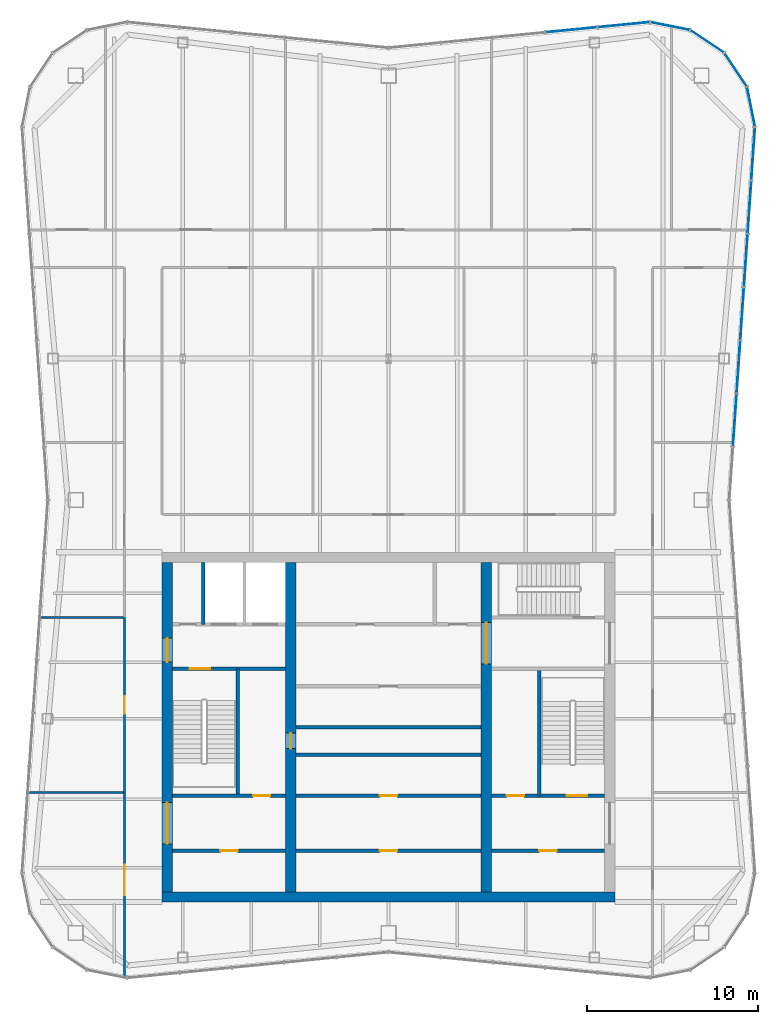
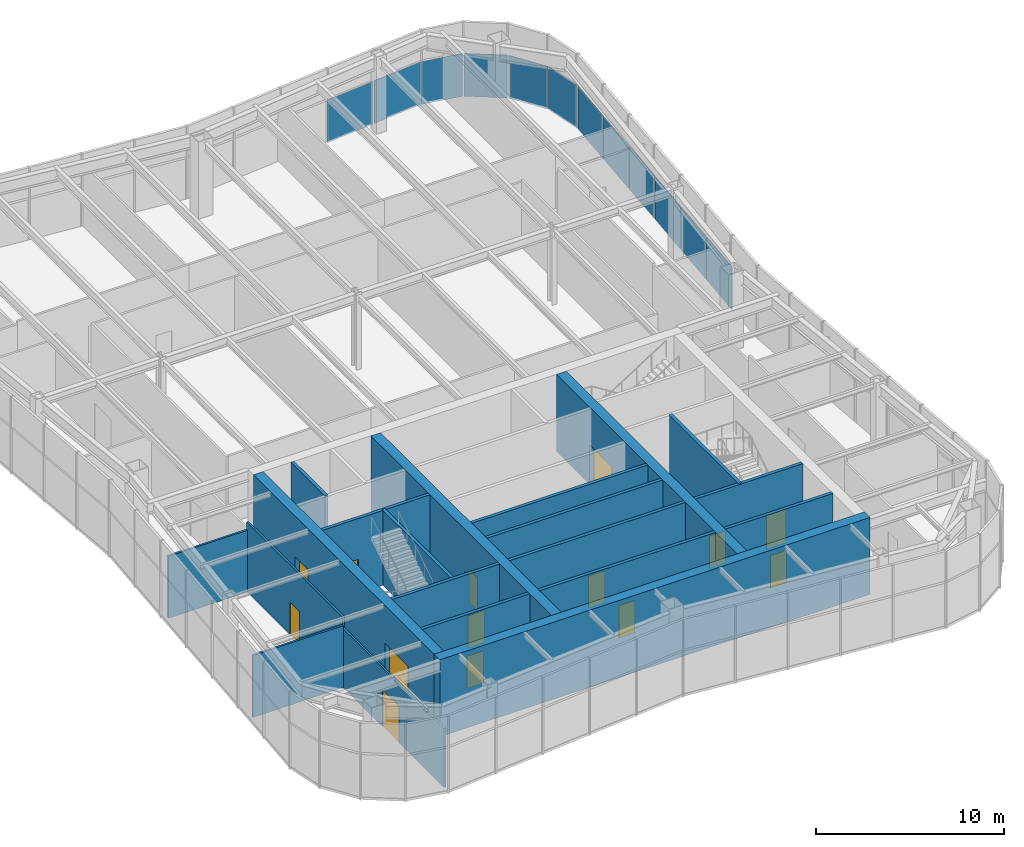
# One storey, part 9 of 13: 20 walls, 14 doors, 12 plates, 14 openings, 3 elements without a shape of their own.
"""IFC4 building model written with IfcOpenShell, lengths in metres."""

import ifcopenshell
import ifcopenshell.guid

model = None  # the IFC model being written
_history = None  # IfcOwnerHistory: only IFC2X3 demands one
_inside = {}  # id of a spatial element -> (the spatial element, [elements in it])
_under = {}  # id of a project, library or spatial element -> (it, [spatial elements below it])
_declared = {}  # id of a project -> (the project, [libraries it declares])
_typed = {}  # id of a type object -> (the type object, [elements of that type])
_made_of = {}  # id of a material, layer set ... -> (it, [elements and type objects made of it])


def new_model(schema):
    """Start an empty IFC model of exactly this schema.

    Asked for "IFC4X3", IfcOpenShell would pick the latest addendum, in which some entities
    have other attributes; the version numbers below select the first issue.
    IFC2X3 requires an IfcOwnerHistory on every rooted entity: one is made here for all.
    """
    global model, _history
    if schema == "IFC4X3":
        model = ifcopenshell.file(schema_version=(4, 3, 0, 0))
    else:
        model = ifcopenshell.file(schema=schema)
    _inside.clear()
    _under.clear()
    _declared.clear()
    _typed.clear()
    _made_of.clear()
    _history = None
    if model.schema == "IFC2X3":
        org = make("IfcOrganization", Name="unknown")
        user = make(
            "IfcPersonAndOrganization",
            ThePerson=make("IfcPerson", FamilyName="unknown"),
            TheOrganization=org,
        )
        app = make(
            "IfcApplication",
            ApplicationDeveloper=org,
            Version="unknown",
            ApplicationFullName="unknown",
            ApplicationIdentifier="unknown",
        )
        _history = make(
            "IfcOwnerHistory",
            OwningUser=user,
            OwningApplication=app,
            ChangeAction="ADDED",
            CreationDate=0,
        )
    return model


def make(cls, **values):
    """One entity of the class cls with the attributes given. An attribute that is None is left unset."""
    return model.create_entity(
        cls, **{name: value for name, value in values.items() if value is not None}
    )


def rooted(cls, **values):
    """An entity with a GlobalId (a new one), such as an element, a storey or a relation."""
    return make(cls, GlobalId=ifcopenshell.guid.new(), OwnerHistory=_history, **values)


def si_unit(unit_type, name, prefix=None):
    """IfcSIUnit, for example si_unit("LENGTHUNIT", "METRE", prefix="MILLI")."""
    return make("IfcSIUnit", UnitType=unit_type, Prefix=prefix, Name=name)


def assignment(units):
    """IfcUnitAssignment: the units of a project."""
    return None if units is None else make("IfcUnitAssignment", Units=units)


def point(xyz):
    """IfcCartesianPoint."""
    return None if xyz is None else make("IfcCartesianPoint", Coordinates=xyz)


def direction(xyz):
    """IfcDirection."""
    return None if xyz is None else make("IfcDirection", DirectionRatios=xyz)


def frame(location, z_axis=None, x_axis=None):
    """IfcAxis2Placement3D, a coordinate frame: its origin and axes. An axis left out is left unset."""
    return make(
        "IfcAxis2Placement3D",
        Location=point(location),
        Axis=direction(z_axis),
        RefDirection=direction(x_axis),
    )


def frame_2d(location, x_axis=None):
    """IfcAxis2Placement2D, a coordinate frame in the plane: its origin and x axis."""
    return make(
        "IfcAxis2Placement2D", Location=point(location), RefDirection=direction(x_axis)
    )


def origin():
    """The frame at (0, 0, 0) with its axes left unset."""
    return frame((0.0, 0.0, 0.0))


def origin_2d():
    """The frame at (0, 0) in the plane with its x axis left unset."""
    return frame_2d((0.0, 0.0))


def place(relative_to, where):
    """IfcLocalPlacement: puts the frame where relative to a parent placement (None: the world)."""
    return make(
        "IfcLocalPlacement", PlacementRelTo=relative_to, RelativePlacement=where
    )


def context(
    kind, dimensions, precision=None, world=None, true_north=None, identifier=None
):
    """IfcGeometricRepresentationContext, for example the 3D "Model" context."""
    return make(
        "IfcGeometricRepresentationContext",
        ContextIdentifier=identifier,
        ContextType=kind,
        CoordinateSpaceDimension=dimensions,
        Precision=precision,
        WorldCoordinateSystem=world,
        TrueNorth=true_north,
    )


def subcontext(parent, identifier, kind, view, scale=None):
    """IfcGeometricRepresentationSubContext, for example "Body" below "Model"."""
    return make(
        "IfcGeometricRepresentationSubContext",
        ContextIdentifier=identifier,
        ContextType=kind,
        ParentContext=parent,
        TargetScale=scale,
        TargetView=view,
    )


def project(units=None, contexts=None):
    """IfcProject with its units and contexts."""
    return rooted(
        "IfcProject",
        Name="project",
        RepresentationContexts=contexts,
        UnitsInContext=assignment(units),
    )


def spatial(cls, under=None, at=None, **own):
    """A site, building, storey or space (cls), placed at a placement, below another one or the project."""
    s = rooted(cls, ObjectPlacement=at, **own)
    if under is not None:
        _under.setdefault(under.id(), (under, []))[1].append(s)
    return s


def profile(cls, at=None, kind="AREA", **sizes):
    """A parametric profile (cls). Its sizes go by their IFC names, for example OverallWidth=200.0."""
    return make(cls, ProfileType=kind, Position=at, **sizes)


def rectangle(**sizes):
    """IfcRectangleProfileDef."""
    return profile("IfcRectangleProfileDef", **sizes)


def extrude(swept, where, along, depth):
    """IfcExtrudedAreaSolid: the profile swept, set in the frame where, extruded along a direction by depth."""
    return make(
        "IfcExtrudedAreaSolid",
        SweptArea=swept,
        Position=where,
        ExtrudedDirection=direction(along),
        Depth=depth,
    )


def shape(context_of_items, identifier, shape_type, items):
    """IfcShapeRepresentation: the items that make up one representation, for example the "Body"."""
    return make(
        "IfcShapeRepresentation",
        ContextOfItems=context_of_items,
        RepresentationIdentifier=identifier,
        RepresentationType=shape_type,
        Items=items,
    )


def material(Name=None, Category=None):
    """IfcMaterial."""
    return make("IfcMaterial", Name=Name, Category=Category)


def layer(
    of_material, thickness, ventilated=None, Name=None, Category=None, Priority=None
):
    """IfcMaterialLayer: one layer of a wall or slab, of a material (None: an air gap)."""
    return make(
        "IfcMaterialLayer",
        Material=of_material,
        LayerThickness=thickness,
        IsVentilated=ventilated,
        Name=Name,
        Category=Category,
        Priority=Priority,
    )


def layer_set(layers, Name=None):
    """IfcMaterialLayerSet."""
    return make("IfcMaterialLayerSet", MaterialLayers=layers, LayerSetName=Name)


def made_of(thing, what):
    """Note that an element or type object is made of a material, layer set ...; save() writes the relation."""
    if what is not None:
        _made_of.setdefault(what.id(), (what, []))[1].append(thing)
    return thing


def type_object(cls, material=None, **own):
    """A type object (cls), such as IfcWallType, which elements share."""
    return made_of(rooted(cls, **own), material)


def element(
    cls,
    number,
    at=None,
    inside=None,
    cuts=None,
    type_object=None,
    material=None,
    context=None,
    identifier="Body",
    shape_type=None,
    held_by="IfcProductDefinitionShape",
    body=None,
    shapes=None,
    **own,
):
    """One element of the class cls, such as IfcWall. Its Tag is "e" and its number.

    at: its placement. inside: the storey or other place that contains it. cuts: it is an
    opening in that element (IfcRelVoidsElement). A single representation is given by context,
    identifier, shape_type and body (its items); several are given by shapes. held_by: the class
    of the entity that holds the representations. save() writes the other relations.
    """
    e = rooted(cls, Tag="e%d" % number, ObjectPlacement=at, **own)
    if body is not None:
        shapes = [shape(context, identifier, shape_type, body)]
    if shapes is not None:
        e.Representation = make(held_by, Representations=shapes)
    if inside is not None:
        _inside.setdefault(inside.id(), (inside, []))[1].append(e)
    if cuts is not None:
        rooted(
            "IfcRelVoidsElement", RelatingBuildingElement=cuts, RelatedOpeningElement=e
        )
    if type_object is not None:
        _typed.setdefault(type_object.id(), (type_object, []))[1].append(e)
    return made_of(e, material)


def fill(opening, filler):
    """IfcRelFillsElement: the door or window that sits in an opening."""
    return rooted(
        "IfcRelFillsElement",
        RelatingOpeningElement=opening,
        RelatedBuildingElement=filler,
    )


def aggregate(whole, parts):
    """IfcRelAggregates: a whole, such as a stair, and the parts it consists of."""
    return rooted("IfcRelAggregates", RelatingObject=whole, RelatedObjects=parts)


def save(model, path):
    """Write the relations noted so far, then the file.

    IfcRelAggregates (storeys below a building ...), IfcRelContainedInSpatialStructure (elements
    in a storey), IfcRelDefinesByType, IfcRelAssociatesMaterial and IfcRelDeclares: one each for
    every whole, place, type object, material and project.
    """
    for whole, parts in _under.values():
        aggregate(whole, parts)
    for where, things in _inside.values():
        rooted(
            "IfcRelContainedInSpatialStructure",
            RelatedElements=things,
            RelatingStructure=where,
        )
    for kind, things in _typed.values():
        rooted("IfcRelDefinesByType", RelatedObjects=things, RelatingType=kind)
    for what, things in _made_of.values():
        rooted("IfcRelAssociatesMaterial", RelatedObjects=things, RelatingMaterial=what)
    for by, libraries in _declared.values():
        rooted("IfcRelDeclares", RelatingContext=by, RelatedDefinitions=libraries)
    model.write(path)


model = new_model("IFC4")

# Units and contexts
model_context = context("Model", 3, precision=1e-05, world=origin(), true_north=direction((0.0, 1.0)))
body_context = subcontext(model_context, "Body", "Model", "MODEL_VIEW")
ifc_project = project(units=[si_unit("LENGTHUNIT", "METRE"), si_unit("AREAUNIT", "SQUARE_METRE"), si_unit("VOLUMEUNIT", "CUBIC_METRE"), si_unit("PLANEANGLEUNIT", "RADIAN"), si_unit("MASSUNIT", "GRAM", prefix="KILO")], contexts=[model_context])

# Site, building, storey
site_placement = place(None, origin())
site = spatial("IfcSite", under=ifc_project, at=site_placement, CompositionType="ELEMENT")
building_placement = place(site_placement, origin())
building = spatial("IfcBuilding", under=site, at=building_placement, Name="Verdant Reach Tower", CompositionType="ELEMENT")
storey_placement = place(building_placement, frame((0.0, 0.0, 354.5)))
storey = spatial("IfcBuildingStorey", under=building, at=storey_placement, Name="L80 Plant", CompositionType="ELEMENT", Elevation=354.5)

# Curtain wall, plates
ifc_material_1 = material(Name="Anodised aluminium", Category="aluminium")
curtain_wall_type = type_object("IfcCurtainWallType", Name="EN-CW SYSTEM PLANT", PredefinedType="NOTDEFINED", material=ifc_material_1)
curtain_wall_1_placement = place(storey_placement, origin())
curtain_wall_1 = element("IfcCurtainWall", 1, at=curtain_wall_1_placement, inside=storey, type_object=curtain_wall_type, Name="Curtain wall east, L80", PredefinedType="NOTDEFINED")
ifc_material_2 = material(Name="Bronze anodised aluminium solid panel", Category="aluminium")
ifc_layer_1 = layer(ifc_material_2, 0.0400390625)
ifc_layer_set_1 = layer_set([ifc_layer_1], Name="EN-PANEL SOLID")
plate_type = type_object("IfcPlateType", Name="EN-PANEL SOLID", PredefinedType="CURTAIN_PANEL", material=ifc_layer_set_1)
plate_1_placement = place(storey_placement, frame((20.190185546875, 45.902587890625, -0.199951171875), z_axis=(0.0, 0.0, 1.0), x_axis=(0.068802091615, 0.997630328423, 0.0)))
plate_1 = element("IfcPlate", 2, at=plate_1_placement, type_object=plate_type, Name="Solid panel east face part 2 2.1, L80", PredefinedType="CURTAIN_PANEL", context=body_context, shape_type="SweptSolid", body=[
    extrude(rectangle(XDim=3.03857421875, YDim=0.0400390625, at=origin_2d()), origin(), (0.0, 0.0, 1.0), 2.77490234375),
])
plate_2_placement = place(storey_placement, frame((20.404541015625, 49.009765625, -0.199951171875), z_axis=(0.0, 0.0, 1.0), x_axis=(0.068802091615, 0.997630328423, 0.0)))
plate_2 = element("IfcPlate", 3, at=plate_2_placement, type_object=plate_type, Name="Solid panel east face part 2 3.1, L80", PredefinedType="CURTAIN_PANEL", context=body_context, shape_type="SweptSolid", body=[
    extrude(rectangle(XDim=3.03857421875, YDim=0.0400390625, at=origin_2d()), origin(), (0.0, 0.0, 1.0), 2.77490234375),
])
plate_3_placement = place(storey_placement, frame((20.61865234375, 52.11669921875, -0.199951171875), z_axis=(0.0, 0.0, 1.0), x_axis=(0.068802091615, 0.997630328423, 0.0)))
plate_3 = element("IfcPlate", 4, at=plate_3_placement, type_object=plate_type, Name="Solid panel east face part 2 4.1, L80", PredefinedType="CURTAIN_PANEL", context=body_context, shape_type="SweptSolid", body=[
    extrude(rectangle(XDim=3.03857421875, YDim=0.0400390625, at=origin_2d()), origin(), (0.0, 0.0, 1.0), 2.77490234375),
])
plate_4_placement = place(storey_placement, frame((20.8330078125, 55.223876953125, -0.199951171875), z_axis=(0.0, 0.0, 1.0), x_axis=(0.068802091615, 0.997630328423, 0.0)))
plate_4 = element("IfcPlate", 5, at=plate_4_placement, type_object=plate_type, Name="Solid panel east face part 2 5.1, L80", PredefinedType="CURTAIN_PANEL", context=body_context, shape_type="SweptSolid", body=[
    extrude(rectangle(XDim=3.03857421875, YDim=0.0400390625, at=origin_2d()), origin(), (0.0, 0.0, 1.0), 2.77490234375),
])
plate_5_placement = place(storey_placement, frame((21.04736328125, 58.3310546875, -0.199951171875), z_axis=(0.0, 0.0, 1.0), x_axis=(0.068802091615, 0.997630328423, 0.0)))
plate_5 = element("IfcPlate", 6, at=plate_5_placement, type_object=plate_type, Name="Solid panel east face part 2 6.1, L80", PredefinedType="CURTAIN_PANEL", context=body_context, shape_type="SweptSolid", body=[
    extrude(rectangle(XDim=3.03857421875, YDim=0.0400390625, at=origin_2d()), origin(), (0.0, 0.0, 1.0), 2.77490234375),
])
plate_6_placement = place(storey_placement, frame((21.261474609375, 61.446044921875, -0.199951171875), z_axis=(0.0, 0.0, 1.0), x_axis=(0.068469163133, 0.997653233193, 0.0)))
plate_6 = element("IfcPlate", 7, at=plate_6_placement, type_object=plate_type, Name="Solid panel east face part 2 7.1, L80", PredefinedType="CURTAIN_PANEL", context=body_context, shape_type="SweptSolid", body=[
    extrude(rectangle(XDim=3.05419921875, YDim=0.0400390625, at=origin_2d()), origin(), (0.0, 0.0, 1.0), 2.77490234375),
])
aggregate(curtain_wall_1, [plate_1, plate_2, plate_3, plate_4, plate_5, plate_6])

curtain_wall_2_placement = place(storey_placement, origin())
curtain_wall_2 = element("IfcCurtainWall", 8, at=curtain_wall_2_placement, inside=storey, type_object=curtain_wall_type, Name="Curtain wall north-east corner, L80", PredefinedType="NOTDEFINED")
plate_7_placement = place(storey_placement, frame((21.135986328125, 64.174560546875, -0.199951171875), z_axis=(0.0, 0.0, 1.0), x_axis=(-0.195592962334, 0.980685165119, 0.0)))
plate_7 = element("IfcPlate", 9, at=plate_7_placement, type_object=plate_type, Name="Solid panel north-east corner 1.1, L80", PredefinedType="CURTAIN_PANEL", context=body_context, shape_type="SweptSolid", body=[
    extrude(rectangle(XDim=2.303955078125, YDim=0.0400390625, at=origin_2d()), origin(), (0.0, 0.0, 1.0), 2.77490234375),
])
plate_8_placement = place(storey_placement, frame((20.239990234375, 66.334228515625, -0.199951171875), z_axis=(0.0, 0.0, 1.0), x_axis=(-0.555596466265, 0.83145208321, 0.0)))
plate_8 = element("IfcPlate", 10, at=plate_8_placement, type_object=plate_type, Name="Solid panel north-east corner 2.1, L80", PredefinedType="CURTAIN_PANEL", context=body_context, shape_type="SweptSolid", body=[
    extrude(rectangle(XDim=2.3115234375, YDim=0.0400390625, at=origin_2d()), origin(), (0.0, 0.0, 1.0), 2.77490234375),
])
plate_9_placement = place(storey_placement, frame((18.584228515625, 67.989990234375, -0.199951171875), z_axis=(0.0, 0.0, 1.0), x_axis=(-0.83145208321, 0.555596466265, 0.0)))
plate_9 = element("IfcPlate", 11, at=plate_9_placement, type_object=plate_type, Name="Solid panel north-east corner 3.1, L80", PredefinedType="CURTAIN_PANEL", context=body_context, shape_type="SweptSolid", body=[
    extrude(rectangle(XDim=2.3115234375, YDim=0.0400390625, at=origin_2d()), origin(), (0.0, 0.0, 1.0), 2.77490234375),
])
plate_10_placement = place(storey_placement, frame((16.423828125, 68.885986328125, -0.199951171875), z_axis=(0.0, 0.0, 1.0), x_axis=(-0.980705120874, 0.195492879387, 0.0)))
plate_10 = element("IfcPlate", 12, at=plate_10_placement, type_object=plate_type, Name="Solid panel north-east corner 4.1, L80", PredefinedType="CURTAIN_PANEL", context=body_context, shape_type="SweptSolid", body=[
    extrude(rectangle(XDim=2.3056640625, YDim=0.0400390625, at=origin_2d()), origin(), (0.0, 0.0, 1.0), 2.77490234375),
])
aggregate(curtain_wall_2, [plate_7, plate_8, plate_9, plate_10])

curtain_wall_3_placement = place(storey_placement, origin())
curtain_wall_3 = element("IfcCurtainWall", 13, at=curtain_wall_3_placement, inside=storey, type_object=curtain_wall_type, Name="Curtain wall north, L80", PredefinedType="NOTDEFINED")
plate_11_placement = place(storey_placement, frame((13.72216796875, 68.96875, -0.199951171875), z_axis=(0.0, 0.0, 1.0), x_axis=(-0.995238191716, -0.097472774402, 0.0)))
plate_11 = element("IfcPlate", 14, at=plate_11_placement, type_object=plate_type, Name="Solid panel north face part 1 1.1, L80", PredefinedType="CURTAIN_PANEL", context=body_context, shape_type="SweptSolid", body=[
    extrude(rectangle(XDim=3.006103515625, YDim=0.0400390625, at=origin_2d()), origin(), (0.0, 0.0, 1.0), 2.77490234375),
])
plate_12_placement = place(storey_placement, frame((10.663330078125, 68.66845703125, -0.199951171875), z_axis=(0.0, 0.0, 1.0), x_axis=(-0.995197410875, -0.09788826992, 0.0)))
plate_12 = element("IfcPlate", 15, at=plate_12_placement, type_object=plate_type, Name="Solid panel north face part 1 2.1, L80", PredefinedType="CURTAIN_PANEL", context=body_context, shape_type="SweptSolid", body=[
    extrude(rectangle(XDim=2.98876953125, YDim=0.0400390625, at=origin_2d()), origin(), (0.0, 0.0, 1.0), 2.77490234375),
])
aggregate(curtain_wall_3, [plate_11, plate_12])

# Wall, opening, door
ifc_material_3 = material(Name="Gypsum board on steel studs", Category="steel")
ifc_layer_2 = layer(ifc_material_3, 0.199951171875)
ifc_layer_set_2 = layer_set([ifc_layer_2], Name="CO-WALL-ROOM")
wall_type_1 = type_object("IfcWallType", Name="CO-WALL-ROOM", PredefinedType="PARTITIONING", material=ifc_layer_set_2)
wall_1_placement = place(storey_placement, frame((-12.60009765625, 20.800048828125, 0.0), z_axis=(0.0, 0.0, 1.0), x_axis=(1.0, 0.0, 0.0)))
wall_1 = element("IfcWall", 16, at=wall_1_placement, inside=storey, type_object=wall_type_1, Name="Core partition, L80 Plant", PredefinedType="PARTITIONING", context=body_context, shape_type="SweptSolid", body=[
    extrude(rectangle(XDim=6.60009765625, YDim=0.199951171875, at=frame_2d((3.300048828125, 0.0))), origin(), (0.0, 0.0, 1.0), 4.85009765625),
])
opening_1_placement = place(wall_1_placement, frame((2.800048828125, 0.0, 0.0)))
opening_1 = element("IfcOpeningElement", 17, at=opening_1_placement, cuts=wall_1, Name="Opening CD", PredefinedType="OPENING", context=body_context, shape_type="SweptSolid", body=[
    extrude(rectangle(XDim=1.0, YDim=2.10009765625, at=frame_2d((0.5, 1.050048828125))), frame((0.0, 0.10986328125, 0.0), z_axis=(0.0, -1.0, 0.0), x_axis=(1.0, 0.0, 0.0)), (0.0, 0.0, 1.0), 0.219970703125),
])
ifc_material_4 = material(Name="Timber", Category="wood")
door_type_1 = type_object("IfcDoorType", Name="CO-DOOR-ROOM", OperationType="NOTDEFINED", PredefinedType="DOOR", material=ifc_material_4)
door_1_placement = place(opening_1_placement, origin())
door_1 = element("IfcDoor", 18, at=door_1_placement, inside=storey, type_object=door_type_1, Name="Core room door, L80 Plant", OperationType="SINGLE_SWING_RIGHT", OverallHeight=2.10009765625, OverallWidth=1.0, PredefinedType="DOOR", context=body_context, shape_type="SweptSolid", body=[
    extrude(rectangle(XDim=1.0, YDim=2.10009765625, at=frame_2d((0.5, 1.050048828125))), frame((0.0, 0.02490234375, 0.0), z_axis=(0.0, -1.0, 0.0), x_axis=(1.0, 0.0, 0.0)), (0.0, 0.0, 1.0), 0.050048828125),
])
fill(opening_1, door_1)

wall_2_placement = place(storey_placement, frame((-5.39990234375, 20.800048828125, 0.0), z_axis=(0.0, 0.0, 1.0), x_axis=(1.0, 0.0, 0.0)))
wall_2 = element("IfcWall", 19, at=wall_2_placement, inside=storey, type_object=wall_type_1, Name="Core partition, L80 Plant", PredefinedType="PARTITIONING", context=body_context, shape_type="SweptSolid", body=[
    extrude(rectangle(XDim=10.7998046875, YDim=0.199951171875, at=frame_2d((5.39990234375, 0.0))), origin(), (0.0, 0.0, 1.0), 4.85009765625),
])
opening_2_placement = place(wall_2_placement, frame((4.89990234375, 0.0, 0.0)))
opening_2 = element("IfcOpeningElement", 20, at=opening_2_placement, cuts=wall_2, Name="Opening CD", PredefinedType="OPENING", context=body_context, shape_type="SweptSolid", body=[
    extrude(rectangle(XDim=1.0, YDim=2.10009765625, at=frame_2d((0.5, 1.050048828125))), frame((0.0, 0.10986328125, 0.0), z_axis=(0.0, -1.0, 0.0), x_axis=(1.0, 0.0, 0.0)), (0.0, 0.0, 1.0), 0.219970703125),
])
door_2_placement = place(opening_2_placement, origin())
door_2 = element("IfcDoor", 21, at=door_2_placement, inside=storey, type_object=door_type_1, Name="Core room door, L80 Plant", OperationType="SINGLE_SWING_LEFT", OverallHeight=2.10009765625, OverallWidth=1.0, PredefinedType="DOOR", context=body_context, shape_type="SweptSolid", body=[
    extrude(rectangle(XDim=1.0, YDim=2.10009765625, at=frame_2d((0.5, 1.050048828125))), frame((0.0, 0.02490234375, 0.0), z_axis=(0.0, -1.0, 0.0), x_axis=(1.0, 0.0, 0.0)), (0.0, 0.0, 1.0), 0.050048828125),
])
fill(opening_2, door_2)

wall_3_placement = place(storey_placement, frame((6.0, 20.800048828125, 0.0), z_axis=(0.0, 0.0, 1.0), x_axis=(1.0, 0.0, 0.0)))
wall_3 = element("IfcWall", 22, at=wall_3_placement, inside=storey, type_object=wall_type_1, Name="Core partition, L80 Plant", PredefinedType="PARTITIONING", context=body_context, shape_type="SweptSolid", body=[
    extrude(rectangle(XDim=6.60009765625, YDim=0.199951171875, at=frame_2d((3.300048828125, 0.0))), origin(), (0.0, 0.0, 1.0), 4.85009765625),
])
opening_3_placement = place(wall_3_placement, frame((2.800048828125, 0.0, 0.0)))
opening_3 = element("IfcOpeningElement", 23, at=opening_3_placement, cuts=wall_3, Name="Opening CD", PredefinedType="OPENING", context=body_context, shape_type="SweptSolid", body=[
    extrude(rectangle(XDim=1.0, YDim=2.10009765625, at=frame_2d((0.5, 1.050048828125))), frame((0.0, 0.10986328125, 0.0), z_axis=(0.0, -1.0, 0.0), x_axis=(1.0, 0.0, 0.0)), (0.0, 0.0, 1.0), 0.219970703125),
])
door_3_placement = place(opening_3_placement, origin())
door_3 = element("IfcDoor", 24, at=door_3_placement, inside=storey, type_object=door_type_1, Name="Core room door, L80 Plant", OperationType="SINGLE_SWING_LEFT", OverallHeight=2.10009765625, OverallWidth=1.0, PredefinedType="DOOR", context=body_context, shape_type="SweptSolid", body=[
    extrude(rectangle(XDim=1.0, YDim=2.10009765625, at=frame_2d((0.5, 1.050048828125))), frame((0.0, 0.02490234375, 0.0), z_axis=(0.0, -1.0, 0.0), x_axis=(1.0, 0.0, 0.0)), (0.0, 0.0, 1.0), 0.050048828125),
])
fill(opening_3, door_3)

wall_4_placement = place(storey_placement, frame((-5.39990234375, 24.0, 0.0), z_axis=(0.0, 0.0, 1.0), x_axis=(1.0, 0.0, 0.0)))
wall_4 = element("IfcWall", 25, at=wall_4_placement, inside=storey, type_object=wall_type_1, Name="Core partition, L80 Plant", PredefinedType="PARTITIONING", context=body_context, shape_type="SweptSolid", body=[
    extrude(rectangle(XDim=10.7998046875, YDim=0.199951171875, at=frame_2d((5.39990234375, 0.0))), origin(), (0.0, 0.0, 1.0), 4.85009765625),
])
opening_4_placement = place(wall_4_placement, frame((4.89990234375, 0.0, 0.0)))
opening_4 = element("IfcOpeningElement", 26, at=opening_4_placement, cuts=wall_4, Name="Opening CD", PredefinedType="OPENING", context=body_context, shape_type="SweptSolid", body=[
    extrude(rectangle(XDim=1.0, YDim=2.10009765625, at=frame_2d((0.5, 1.050048828125))), frame((0.0, 0.10986328125, 0.0), z_axis=(0.0, -1.0, 0.0), x_axis=(1.0, 0.0, 0.0)), (0.0, 0.0, 1.0), 0.219970703125),
])
door_4_placement = place(opening_4_placement, origin())
door_4 = element("IfcDoor", 27, at=door_4_placement, inside=storey, type_object=door_type_1, Name="Core room door, L80 Plant", OperationType="SINGLE_SWING_RIGHT", OverallHeight=2.10009765625, OverallWidth=1.0, PredefinedType="DOOR", context=body_context, shape_type="SweptSolid", body=[
    extrude(rectangle(XDim=1.0, YDim=2.10009765625, at=frame_2d((0.5, 1.050048828125))), frame((0.0, 0.02490234375, 0.0), z_axis=(0.0, -1.0, 0.0), x_axis=(1.0, 0.0, 0.0)), (0.0, 0.0, 1.0), 0.050048828125),
])
fill(opening_4, door_4)

# Walls
for number, where, z_axis, x_axis, name in (
    (28, (-5.39990234375, 26.39990234375, 0.0), (0.0, 0.0, 1.0), (1.0, 0.0, 0.0), "Core partition, L80 Plant"),
    (29, (-5.39990234375, 28.0, 0.0), (0.0, 0.0, 1.0), (1.0, 0.0, 0.0), "Core partition, L80 Plant"),
):
    element("IfcWall", number, at=place(storey_placement, frame(where, z_axis=z_axis, x_axis=x_axis)), inside=storey, type_object=wall_type_1, Name=name, PredefinedType="PARTITIONING", context=body_context, shape_type="SweptSolid", body=[
        extrude(rectangle(XDim=10.7998046875, YDim=0.199951171875, at=frame_2d((5.39990234375, 0.0))), origin(), (0.0, 0.0, 1.0), 4.85009765625),
    ])
ifc_material_5 = material(Name="Concrete C40/50", Category="concrete")
ifc_layer_3 = layer(ifc_material_5, 0.199951171875)
ifc_layer_set_3 = layer_set([ifc_layer_3], Name="CO-WALL-SHAFT")
wall_type_2 = type_object("IfcWallType", Name="CO-WALL-SHAFT", PredefinedType="PARTITIONING", material=ifc_layer_set_3)
wall_5_placement = place(storey_placement, frame((-10.800048828125, 34.0, 0.0), z_axis=(0.0, 0.0, 1.0), x_axis=(0.0, 1.0, 0.0)))
element("IfcWall", 30, at=wall_5_placement, inside=storey, type_object=wall_type_2, Name="Lift shaft wall, L80 Plant", PredefinedType="PARTITIONING", context=body_context, shape_type="SweptSolid", body=[
    extrude(rectangle(XDim=3.60009765625, YDim=0.199951171875, at=frame_2d((1.800048828125, 0.0))), origin(), (0.0, 0.0, 1.0), 4.85009765625),
])

# Wall, opening, door
ifc_layer_4 = layer(ifc_material_5, 0.199951171875)
ifc_layer_set_4 = layer_set([ifc_layer_4], Name="CO-WALL-STAIR")
wall_type_3 = type_object("IfcWallType", Name="CO-WALL-STAIR", PredefinedType="PARTITIONING", material=ifc_layer_set_4)
wall_6_placement = place(storey_placement, frame((-12.60009765625, 24.0, 0.0), z_axis=(0.0, 0.0, 1.0), x_axis=(1.0, 0.0, 0.0)))
wall_6 = element("IfcWall", 31, at=wall_6_placement, inside=storey, type_object=wall_type_3, Name="Stair enclosure wall, L80 Plant", PredefinedType="PARTITIONING", context=body_context, shape_type="SweptSolid", body=[
    extrude(rectangle(XDim=6.60009765625, YDim=0.199951171875, at=frame_2d((3.300048828125, 0.0))), origin(), (0.0, 0.0, 1.0), 4.85009765625),
])
opening_5_placement = place(wall_6_placement, frame((4.699951171875, 0.0, 0.0)))
opening_5 = element("IfcOpeningElement", 32, at=opening_5_placement, cuts=wall_6, Name="Opening CD", PredefinedType="OPENING", context=body_context, shape_type="SweptSolid", body=[
    extrude(rectangle(XDim=1.0, YDim=2.10009765625, at=frame_2d((0.5, 1.050048828125))), frame((0.0, 0.10986328125, 0.0), z_axis=(0.0, -1.0, 0.0), x_axis=(1.0, 0.0, 0.0)), (0.0, 0.0, 1.0), 0.219970703125),
])
door_5_placement = place(opening_5_placement, origin())
door_5 = element("IfcDoor", 33, at=door_5_placement, inside=storey, type_object=door_type_1, Name="Core room door, L80 Plant", OperationType="SINGLE_SWING_LEFT", OverallHeight=2.10009765625, OverallWidth=1.0, PredefinedType="DOOR", context=body_context, shape_type="SweptSolid", body=[
    extrude(rectangle(XDim=1.0, YDim=2.10009765625, at=frame_2d((0.5, 1.050048828125))), frame((0.0, 0.02490234375, 0.0), z_axis=(0.0, -1.0, 0.0), x_axis=(1.0, 0.0, 0.0)), (0.0, 0.0, 1.0), 0.050048828125),
])
fill(opening_5, door_5)

# Wall, openings, doors
wall_7_placement = place(storey_placement, frame((6.0, 24.0, 0.0), z_axis=(0.0, 0.0, 1.0), x_axis=(1.0, 0.0, 0.0)))
wall_7 = element("IfcWall", 34, at=wall_7_placement, inside=storey, type_object=wall_type_3, Name="Stair enclosure wall, L80 Plant", PredefinedType="PARTITIONING", context=body_context, shape_type="SweptSolid", body=[
    extrude(rectangle(XDim=6.60009765625, YDim=0.199951171875, at=frame_2d((3.300048828125, 0.0))), origin(), (0.0, 0.0, 1.0), 4.85009765625),
])
opening_6_placement = place(wall_7_placement, frame((0.89990234375, 0.0, 0.0)))
opening_6 = element("IfcOpeningElement", 35, at=opening_6_placement, cuts=wall_7, Name="Opening CD", PredefinedType="OPENING", context=body_context, shape_type="SweptSolid", body=[
    extrude(rectangle(XDim=1.0, YDim=2.10009765625, at=frame_2d((0.5, 1.050048828125))), frame((0.0, 0.10986328125, 0.0), z_axis=(0.0, -1.0, 0.0), x_axis=(1.0, 0.0, 0.0)), (0.0, 0.0, 1.0), 0.219970703125),
])
opening_7_placement = place(wall_7_placement, frame((4.39990234375, 0.0, 0.0)))
opening_7 = element("IfcOpeningElement", 36, at=opening_7_placement, cuts=wall_7, Name="Opening SD", PredefinedType="OPENING", context=body_context, shape_type="SweptSolid", body=[
    extrude(rectangle(XDim=1.199951171875, YDim=2.199951171875, at=frame_2d((0.60009765625, 1.10009765625))), frame((0.0, 0.10986328125, 0.0), z_axis=(0.0, -1.0, 0.0), x_axis=(1.0, 0.0, 0.0)), (0.0, 0.0, 1.0), 0.219970703125),
])
door_6_placement = place(opening_6_placement, origin())
door_6 = element("IfcDoor", 37, at=door_6_placement, inside=storey, type_object=door_type_1, Name="Core room door, L80 Plant", OperationType="SINGLE_SWING_RIGHT", OverallHeight=2.10009765625, OverallWidth=1.0, PredefinedType="DOOR", context=body_context, shape_type="SweptSolid", body=[
    extrude(rectangle(XDim=1.0, YDim=2.10009765625, at=frame_2d((0.5, 1.050048828125))), frame((0.0, 0.02490234375, 0.0), z_axis=(0.0, -1.0, 0.0), x_axis=(1.0, 0.0, 0.0)), (0.0, 0.0, 1.0), 0.050048828125),
])
fill(opening_6, door_6)
ifc_material_6 = material(Name="Steel", Category="steel")
door_type_2 = type_object("IfcDoorType", Name="CO-DOOR-STAIR", OperationType="NOTDEFINED", PredefinedType="DOOR", material=ifc_material_6)
door_7_placement = place(opening_7_placement, origin())
door_7 = element("IfcDoor", 38, at=door_7_placement, inside=storey, type_object=door_type_2, Name="Stair door, L80 Plant", OperationType="SINGLE_SWING_RIGHT", OverallHeight=2.199951171875, OverallWidth=1.199951171875, PredefinedType="DOOR", context=body_context, shape_type="SweptSolid", body=[
    extrude(rectangle(XDim=1.199951171875, YDim=2.199951171875, at=frame_2d((0.60009765625, 1.10009765625))), frame((0.0, 0.02490234375, 0.0), z_axis=(0.0, -1.0, 0.0), x_axis=(1.0, 0.0, 0.0)), (0.0, 0.0, 1.0), 0.050048828125),
])
fill(opening_7, door_7)

# Wall, opening, door
wall_8_placement = place(storey_placement, frame((-12.60009765625, 31.39990234375, 0.0), z_axis=(0.0, 0.0, 1.0), x_axis=(1.0, 0.0, 0.0)))
wall_8 = element("IfcWall", 39, at=wall_8_placement, inside=storey, type_object=wall_type_3, Name="Stair enclosure wall, L80 Plant", PredefinedType="PARTITIONING", context=body_context, shape_type="SweptSolid", body=[
    extrude(rectangle(XDim=6.60009765625, YDim=0.199951171875, at=frame_2d((3.300048828125, 0.0))), origin(), (0.0, 0.0, 1.0), 4.85009765625),
])
opening_8_placement = place(wall_8_placement, frame((1.0, 0.0, 0.0)))
opening_8 = element("IfcOpeningElement", 40, at=opening_8_placement, cuts=wall_8, Name="Opening SD", PredefinedType="OPENING", context=body_context, shape_type="SweptSolid", body=[
    extrude(rectangle(XDim=1.199951171875, YDim=2.199951171875, at=frame_2d((0.60009765625, 1.10009765625))), frame((0.0, 0.10986328125, 0.0), z_axis=(0.0, -1.0, 0.0), x_axis=(1.0, 0.0, 0.0)), (0.0, 0.0, 1.0), 0.219970703125),
])
door_8_placement = place(opening_8_placement, origin())
door_8 = element("IfcDoor", 41, at=door_8_placement, inside=storey, type_object=door_type_2, Name="Stair door, L80 Plant", OperationType="SINGLE_SWING_LEFT", OverallHeight=2.199951171875, OverallWidth=1.199951171875, PredefinedType="DOOR", context=body_context, shape_type="SweptSolid", body=[
    extrude(rectangle(XDim=1.199951171875, YDim=2.199951171875, at=frame_2d((0.60009765625, 1.10009765625))), frame((0.0, 0.02490234375, 0.0), z_axis=(0.0, -1.0, 0.0), x_axis=(1.0, 0.0, 0.0)), (0.0, 0.0, 1.0), 0.050048828125),
])
fill(opening_8, door_8)

# Walls
for number, where, z_axis, x_axis, name in (
    (42, (-8.800048828125, 24.0, 0.0), (0.0, 0.0, 1.0), (0.0, 1.0, 0.0), "Stair enclosure wall, L80 Plant"),
    (43, (8.800048828125, 24.0, 0.0), (0.0, 0.0, 1.0), (0.0, 1.0, 0.0), "Stair enclosure wall, L80 Plant"),
):
    element("IfcWall", number, at=place(storey_placement, frame(where, z_axis=z_axis, x_axis=x_axis)), inside=storey, type_object=wall_type_3, Name=name, PredefinedType="PARTITIONING", context=body_context, shape_type="SweptSolid", body=[
        extrude(rectangle(XDim=7.39990234375, YDim=0.199951171875, at=frame_2d((3.699951171875, 0.0))), origin(), (0.0, 0.0, 1.0), 4.85009765625),
    ])
ifc_material_7 = material(Name="Concrete C70/85", Category="concrete")
ifc_layer_5 = layer(ifc_material_7, 0.60009765625)
ifc_layer_set_5 = layer_set([ifc_layer_5], Name="ST-CORE-WALL-600")
wall_type_4 = type_object("IfcWallType", Name="ST-CORE-WALL-600", PredefinedType="SHEAR", material=ifc_layer_set_5)
wall_9_placement = place(storey_placement, frame((-13.199951171875, 18.10009765625, -0.14990234375), z_axis=(0.0, 0.0, 1.0), x_axis=(1.0, 0.0, 0.0)))
element("IfcWall", 44, at=wall_9_placement, inside=storey, type_object=wall_type_4, Name="Core wall S, L80 Plant", PredefinedType="SHEAR", context=body_context, shape_type="SweptSolid", body=[
    extrude(rectangle(XDim=26.39990234375, YDim=0.60009765625, at=frame_2d((13.199951171875, 0.0))), origin(), (0.0, 0.0, 1.0), 5.0),
])

# Wall, openings, doors
wall_10_placement = place(storey_placement, frame((-12.89990234375, 18.39990234375, -0.14990234375), z_axis=(0.0, 0.0, 1.0), x_axis=(0.0, 1.0, 0.0)))
wall_10 = element("IfcWall", 45, at=wall_10_placement, inside=storey, type_object=wall_type_4, Name="Core wall W, L80 Plant", PredefinedType="SHEAR", context=body_context, shape_type="SweptSolid", body=[
    extrude(rectangle(XDim=19.2001953125, YDim=0.60009765625, at=frame_2d((9.60009765625, 0.0))), origin(), (0.0, 0.0, 1.0), 5.0),
])
opening_9_placement = place(wall_10_placement, frame((2.800048828125, 0.0, 0.14990234375)))
opening_9 = element("IfcOpeningElement", 46, at=opening_9_placement, cuts=wall_10, Name="Opening LB", PredefinedType="OPENING", context=body_context, shape_type="SweptSolid", body=[
    extrude(rectangle(XDim=2.39990234375, YDim=2.39990234375, at=frame_2d((1.199951171875, 1.199951171875))), frame((0.0, 0.31005859375, 0.0), z_axis=(0.0, -1.0, 0.0), x_axis=(1.0, 0.0, 0.0)), (0.0, 0.0, 1.0), 0.6201171875),
])
opening_10_placement = place(wall_10_placement, frame((13.39990234375, 0.0, 0.14990234375)))
opening_10 = element("IfcOpeningElement", 47, at=opening_10_placement, cuts=wall_10, Name="Opening FL", PredefinedType="OPENING", context=body_context, shape_type="SweptSolid", body=[
    extrude(rectangle(XDim=1.39990234375, YDim=2.199951171875, at=frame_2d((0.699951171875, 1.10009765625))), frame((0.0, 0.31005859375, 0.0), z_axis=(0.0, -1.0, 0.0), x_axis=(1.0, 0.0, 0.0)), (0.0, 0.0, 1.0), 0.6201171875),
])
door_type_3 = type_object("IfcDoorType", Name="CO-DOOR-FFL", OperationType="NOTDEFINED", PredefinedType="DOOR", material=ifc_material_6)
door_9_placement = place(opening_10_placement, origin())
door_9 = element("IfcDoor", 48, at=door_9_placement, inside=storey, type_object=door_type_3, Name="Core entrance door, L80 Plant", OperationType="SINGLE_SWING_LEFT", OverallHeight=2.199951171875, OverallWidth=1.39990234375, PredefinedType="DOOR", context=body_context, shape_type="SweptSolid", body=[
    extrude(rectangle(XDim=1.39990234375, YDim=2.199951171875, at=frame_2d((0.699951171875, 1.10009765625))), frame((0.0, 0.02490234375, 0.0), z_axis=(0.0, -1.0, 0.0), x_axis=(1.0, 0.0, 0.0)), (0.0, 0.0, 1.0), 0.050048828125),
])
fill(opening_10, door_9)
ifc_material_8 = material(Name="Glass and steel", Category="steel")
door_type_4 = type_object("IfcDoorType", Name="CO-DOOR-LOBBY", OperationType="DOUBLE_DOOR_SINGLE_SWING", PredefinedType="DOOR", material=ifc_material_8)
door_10_placement = place(opening_9_placement, origin())
door_10 = element("IfcDoor", 49, at=door_10_placement, inside=storey, type_object=door_type_4, Name="Core entrance door, L80 Plant", OperationType="DOUBLE_DOOR_SINGLE_SWING", OverallHeight=2.39990234375, OverallWidth=2.39990234375, PredefinedType="DOOR", context=body_context, shape_type="SweptSolid", body=[
    extrude(rectangle(XDim=2.39990234375, YDim=2.39990234375, at=frame_2d((1.199951171875, 1.199951171875))), frame((0.0, 0.02490234375, 0.0), z_axis=(0.0, -1.0, 0.0), x_axis=(1.0, 0.0, 0.0)), (0.0, 0.0, 1.0), 0.050048828125),
])
fill(opening_9, door_10)

# Wall, opening, door
wall_11_placement = place(storey_placement, frame((-5.699951171875, 18.39990234375, -0.14990234375), z_axis=(0.0, 0.0, 1.0), x_axis=(0.0, 1.0, 0.0)))
wall_11 = element("IfcWall", 50, at=wall_11_placement, inside=storey, type_object=wall_type_4, Name="Core wall XW, L80 Plant", PredefinedType="SHEAR", context=body_context, shape_type="SweptSolid", body=[
    extrude(rectangle(XDim=19.2001953125, YDim=0.60009765625, at=frame_2d((9.60009765625, 0.0))), origin(), (0.0, 0.0, 1.0), 5.0),
])
opening_11_placement = place(wall_11_placement, frame((8.35009765625, 0.0, 0.14990234375)))
opening_11 = element("IfcOpeningElement", 51, at=opening_11_placement, cuts=wall_11, Name="Opening RD", PredefinedType="OPENING", context=body_context, shape_type="SweptSolid", body=[
    extrude(rectangle(XDim=0.89990234375, YDim=2.10009765625, at=frame_2d((0.449951171875, 1.050048828125))), frame((0.0, 0.31005859375, 0.0), z_axis=(0.0, -1.0, 0.0), x_axis=(1.0, 0.0, 0.0)), (0.0, 0.0, 1.0), 0.6201171875),
])
door_type_5 = type_object("IfcDoorType", Name="CO-DOOR-RISER", OperationType="NOTDEFINED", PredefinedType="DOOR", material=ifc_material_6)
door_11_placement = place(opening_11_placement, origin())
door_11 = element("IfcDoor", 52, at=door_11_placement, inside=storey, type_object=door_type_5, Name="Riser door, L80 Plant", OperationType="SINGLE_SWING_LEFT", OverallHeight=2.10009765625, OverallWidth=0.89990234375, PredefinedType="DOOR", context=body_context, shape_type="SweptSolid", body=[
    extrude(rectangle(XDim=0.89990234375, YDim=2.10009765625, at=frame_2d((0.449951171875, 1.050048828125))), frame((0.0, 0.02490234375, 0.0), z_axis=(0.0, -1.0, 0.0), x_axis=(1.0, 0.0, 0.0)), (0.0, 0.0, 1.0), 0.050048828125),
])
fill(opening_11, door_11)

wall_12_placement = place(storey_placement, frame((5.699951171875, 18.39990234375, -0.14990234375), z_axis=(0.0, 0.0, 1.0), x_axis=(0.0, 1.0, 0.0)))
wall_12 = element("IfcWall", 53, at=wall_12_placement, inside=storey, type_object=wall_type_4, Name="Core wall XE, L80 Plant", PredefinedType="SHEAR", context=body_context, shape_type="SweptSolid", body=[
    extrude(rectangle(XDim=19.2001953125, YDim=0.60009765625, at=frame_2d((9.60009765625, 0.0))), origin(), (0.0, 0.0, 1.0), 5.0),
])
opening_12_placement = place(wall_12_placement, frame((13.300048828125, 0.0, 0.14990234375)))
opening_12 = element("IfcOpeningElement", 54, at=opening_12_placement, cuts=wall_12, Name="Opening LB", PredefinedType="OPENING", context=body_context, shape_type="SweptSolid", body=[
    extrude(rectangle(XDim=2.39990234375, YDim=2.39990234375, at=frame_2d((1.199951171875, 1.199951171875))), frame((0.0, 0.31005859375, 0.0), z_axis=(0.0, -1.0, 0.0), x_axis=(1.0, 0.0, 0.0)), (0.0, 0.0, 1.0), 0.6201171875),
])
door_12_placement = place(opening_12_placement, origin())
door_12 = element("IfcDoor", 55, at=door_12_placement, inside=storey, type_object=door_type_4, Name="Core entrance door, L80 Plant", OperationType="DOUBLE_DOOR_SINGLE_SWING", OverallHeight=2.39990234375, OverallWidth=2.39990234375, PredefinedType="DOOR", context=body_context, shape_type="SweptSolid", body=[
    extrude(rectangle(XDim=2.39990234375, YDim=2.39990234375, at=frame_2d((1.199951171875, 1.199951171875))), frame((0.0, 0.02490234375, 0.0), z_axis=(0.0, -1.0, 0.0), x_axis=(1.0, 0.0, 0.0)), (0.0, 0.0, 1.0), 0.050048828125),
])
fill(opening_12, door_12)

ifc_material_9 = material(Name="Gypsum board on steel studs, fire rated", Category="steel")
ifc_layer_6 = layer(ifc_material_9, 0.125)
ifc_layer_set_6 = layer_set([ifc_layer_6], Name="SV-W2 Plant wall 125 EI 60")
wall_type_5 = type_object("IfcWallType", Name="SV-W2 Plant wall 125 EI 60", PredefinedType="PARTITIONING", material=ifc_layer_set_6)
wall_13_placement = place(storey_placement, frame((-15.39990234375, 24.199951171875, 0.0), z_axis=(0.0, 0.0, 1.0), x_axis=(0.0, -1.0, 0.0)))
wall_13 = element("IfcWall", 56, at=wall_13_placement, inside=storey, type_object=wall_type_5, Name="Partition L80.09", PredefinedType="PARTITIONING", context=body_context, shape_type="SweptSolid", body=[
    extrude(rectangle(XDim=10.750244140625, YDim=0.125, at=frame_2d((5.375, 0.0))), origin(), (0.0, 0.0, 1.0), 3.81201171875),
])
opening_13_placement = place(wall_13_placement, frame((4.20556640625, 0.0, 0.0)))
opening_13 = element("IfcOpeningElement", 57, at=opening_13_placement, cuts=wall_13, Name="Opening SD3", PredefinedType="OPENING", context=body_context, shape_type="SweptSolid", body=[
    extrude(rectangle(XDim=1.800048828125, YDim=2.39990234375, at=frame_2d((0.89990234375, 1.199951171875))), frame((0.0, 0.072509765625, 0.0), z_axis=(0.0, -1.0, 0.0), x_axis=(1.0, 0.0, 0.0)), (0.0, 0.0, 1.0), 0.14501953125),
])
ifc_material_10 = material(Name="Steel door leaves, fire rated", Category="steel")
door_type_6 = type_object("IfcDoorType", Name="SV-D3 Equipment door 1800x2400 FD60", OperationType="DOUBLE_DOOR_SINGLE_SWING", PredefinedType="DOOR", material=ifc_material_10)
door_13_placement = place(opening_13_placement, origin())
door_13 = element("IfcDoor", 58, at=door_13_placement, inside=storey, type_object=door_type_6, Name="Door L80-004", OperationType="DOUBLE_DOOR_SINGLE_SWING", OverallHeight=2.39990234375, OverallWidth=1.800048828125, PredefinedType="DOOR", context=body_context, shape_type="SweptSolid", body=[
    extrude(rectangle(XDim=1.800048828125, YDim=2.39990234375, at=frame_2d((0.89990234375, 1.199951171875))), frame((0.0, 0.02490234375, 0.0), z_axis=(0.0, -1.0, 0.0), x_axis=(1.0, 0.0, 0.0)), (0.0, 0.0, 1.0), 0.050048828125),
])
fill(opening_13, door_13)

wall_14_placement = place(storey_placement, frame((-15.39990234375, 34.39990234375, 0.0), z_axis=(0.0, 0.0, 1.0), x_axis=(0.0, -1.0, 0.0)))
wall_14 = element("IfcWall", 59, at=wall_14_placement, inside=storey, type_object=wall_type_5, Name="Partition L80.10", PredefinedType="PARTITIONING", context=body_context, shape_type="SweptSolid", body=[
    extrude(rectangle(XDim=10.199951171875, YDim=0.125, at=frame_2d((5.10009765625, 0.0))), origin(), (0.0, 0.0, 1.0), 4.52001953125),
])
opening_14_placement = place(wall_14_placement, frame((4.60009765625, 0.0, 0.0)))
opening_14 = element("IfcOpeningElement", 60, at=opening_14_placement, cuts=wall_14, Name="Opening SD4", PredefinedType="OPENING", context=body_context, shape_type="SweptSolid", body=[
    extrude(rectangle(XDim=1.0, YDim=2.10009765625, at=frame_2d((0.5, 1.050048828125))), frame((0.0, 0.072509765625, 0.0), z_axis=(0.0, -1.0, 0.0), x_axis=(1.0, 0.0, 0.0)), (0.0, 0.0, 1.0), 0.14501953125),
])
ifc_material_11 = material(Name="Steel door leaf, fire rated", Category="steel")
door_type_7 = type_object("IfcDoorType", Name="SV-D4 Door 1000x2100 FD120", OperationType="NOTDEFINED", PredefinedType="DOOR", material=ifc_material_11)
door_14_placement = place(opening_14_placement, origin())
door_14 = element("IfcDoor", 61, at=door_14_placement, inside=storey, type_object=door_type_7, Name="Door L80-005", OperationType="SINGLE_SWING_LEFT", OverallHeight=2.10009765625, OverallWidth=1.0, PredefinedType="DOOR", context=body_context, shape_type="SweptSolid", body=[
    extrude(rectangle(XDim=1.0, YDim=2.10009765625, at=frame_2d((0.5, 1.050048828125))), frame((0.0, 0.02490234375, 0.0), z_axis=(0.0, -1.0, 0.0), x_axis=(1.0, 0.0, 0.0)), (0.0, 0.0, 1.0), 0.050048828125),
])
fill(opening_14, door_14)

# Walls
wall_15_placement = place(storey_placement, frame((-21.005859375, 24.199951171875, 0.0), z_axis=(0.0, 0.0, 1.0), x_axis=(1.0, 0.0, 0.0)))
element("IfcWall", 62, at=wall_15_placement, inside=storey, type_object=wall_type_5, Name="Partition L80.26", PredefinedType="PARTITIONING", context=body_context, shape_type="SweptSolid", body=[
    extrude(rectangle(XDim=5.54345703125, YDim=0.125, at=frame_2d((2.771728515625, 0.0))), origin(), (0.0, 0.0, 1.0), 4.02001953125),
])
wall_16_placement = place(storey_placement, frame((-20.302490234375, 34.39990234375, 0.0), z_axis=(0.0, 0.0, 1.0), x_axis=(1.0, 0.0, 0.0)))
element("IfcWall", 63, at=wall_16_placement, inside=storey, type_object=wall_type_5, Name="Partition L80.27", PredefinedType="PARTITIONING", context=body_context, shape_type="SweptSolid", body=[
    extrude(rectangle(XDim=4.840087890625, YDim=0.125, at=frame_2d((2.419921875, 0.0))), origin(), (0.0, 0.0, 1.0), 4.02001953125),
])

save(model, "model.ifc")
